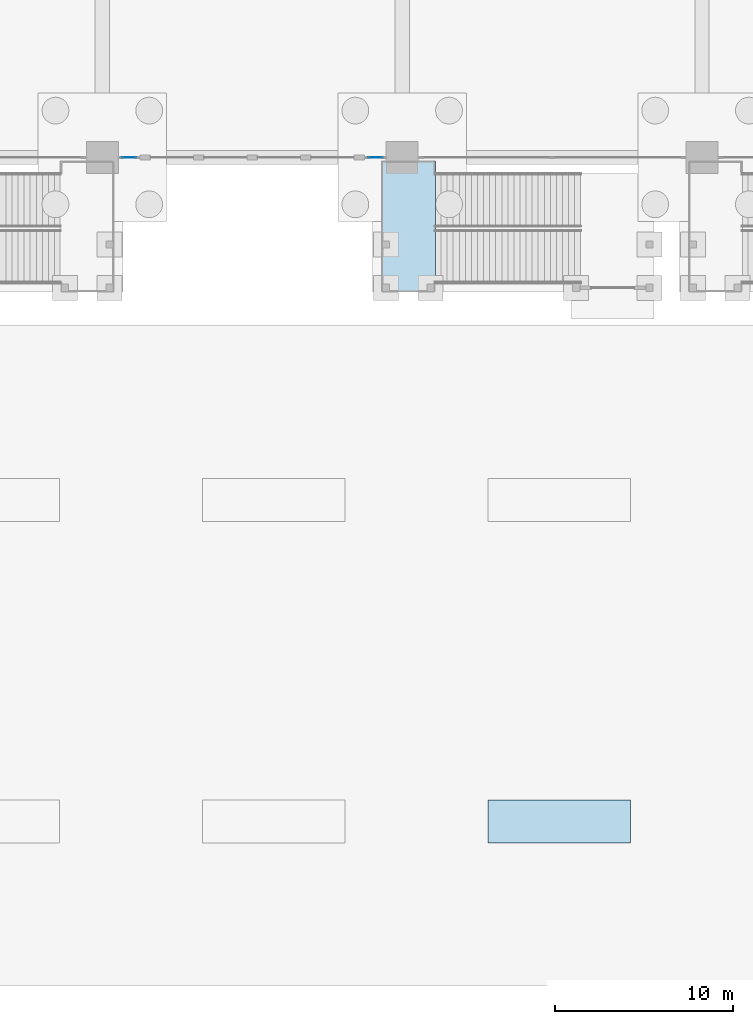
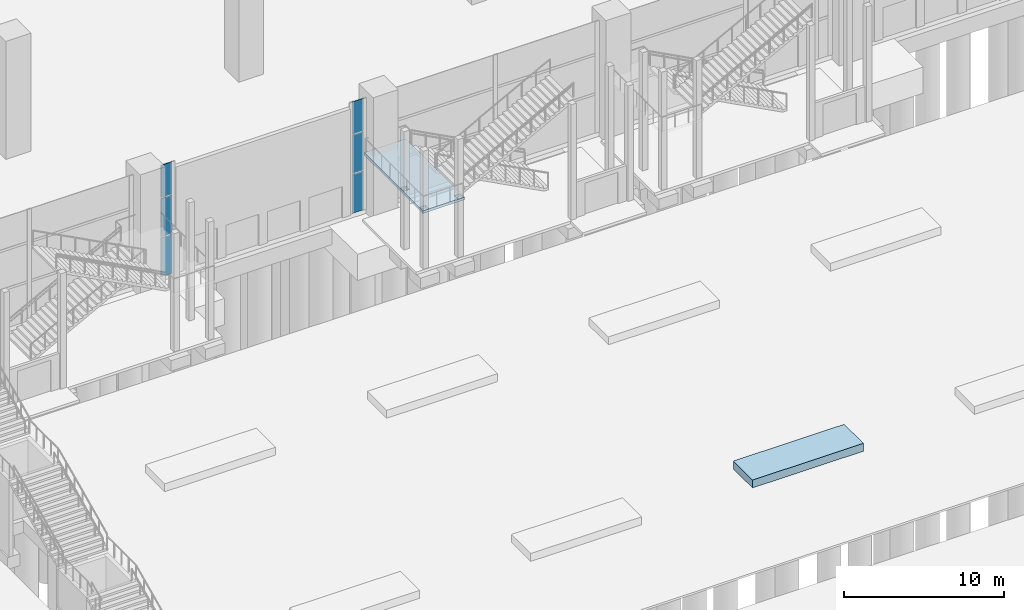
# One storey, part 31 of 72: 6 plates, 2 slabs, 3 elements without a shape of their own.
"""IFC4 building model written with IfcOpenShell, lengths in metres."""

from ifc_helpers import new_model, si_unit, direction, frame, origin, origin_2d, place, context, subcontext, project, spatial, polyline, rectangle, outline, extrude, material, layer, layer_set, type_object, element, aggregate, save


model = new_model("IFC4")

# Units and contexts
model_context = context("Model", 3, precision=1e-05, world=origin(), true_north=direction((0.0, 1.0)))
body_context = subcontext(model_context, "Body", "Model", "MODEL_VIEW")
ifc_project = project(units=[si_unit("LENGTHUNIT", "METRE"), si_unit("AREAUNIT", "SQUARE_METRE"), si_unit("VOLUMEUNIT", "CUBIC_METRE"), si_unit("PLANEANGLEUNIT", "RADIAN"), si_unit("MASSUNIT", "GRAM", prefix="KILO")], contexts=[model_context])

# Site, building, storey
site_placement = place(None, origin())
site = spatial("IfcSite", under=ifc_project, at=site_placement, CompositionType="ELEMENT")
building_placement = place(site_placement, origin())
building = spatial("IfcBuilding", under=site, at=building_placement, Name="Candeia Pilgrim Tower and Theatre", CompositionType="ELEMENT")
storey_placement = place(building_placement, origin())
storey = spatial("IfcBuildingStorey", under=building, at=storey_placement, Name="L00", CompositionType="ELEMENT", Elevation=0.0)

# Curtain wall, plates
ifc_material_1 = material(Name="Aluminium framed podium glazing", Category="aluminium")
curtain_wall_type = type_object("IfcCurtainWallType", Name="CW-P curtain wall", PredefinedType="NOTDEFINED", material=ifc_material_1)
curtain_wall_1_placement = place(storey_placement, origin())
curtain_wall_1 = element("IfcCurtainWall", 1, at=curtain_wall_1_placement, inside=storey, type_object=curtain_wall_type, Name="Curtain wall CW-P L00.330", PredefinedType="NOTDEFINED")
ifc_material_2 = material(Name="Laminated low-iron glass 2 x 8 mm", Category="glass")
ifc_layer_1 = layer(ifc_material_2, 0.035888671875)
ifc_layer_set_1 = layer_set([ifc_layer_1], Name="CW-P glass panel 36")
plate_type = type_object("IfcPlateType", Name="CW-P glass panel 36", PredefinedType="CURTAIN_PANEL", material=ifc_layer_set_1)
plate_1_placement = place(storey_placement, frame((107.699951171875, 64.39990234375, 0.0), z_axis=(0.0, 0.0, 1.0), x_axis=(-1.0, 0.0, 0.0)))
plate_1 = element("IfcPlate", 2, at=plate_1_placement, type_object=plate_type, Name="CW-P panel 1.1", PredefinedType="CURTAIN_PANEL", context=body_context, shape_type="SweptSolid", body=[
    extrude(rectangle(XDim=0.820068359375, YDim=0.035888671875, at=origin_2d()), origin(), (0.0, 0.0, 1.0), 2.9599609375),
])
plate_2_placement = place(storey_placement, frame((107.699951171875, 64.39990234375, 3.0400390625), z_axis=(0.0, 0.0, 1.0), x_axis=(-1.0, 0.0, 0.0)))
plate_2 = element("IfcPlate", 3, at=plate_2_placement, type_object=plate_type, Name="CW-P panel 1.2", PredefinedType="CURTAIN_PANEL", context=body_context, shape_type="SweptSolid", body=[
    extrude(rectangle(XDim=0.820068359375, YDim=0.035888671875, at=origin_2d()), origin(), (0.0, 0.0, 1.0), 2.919921875),
])
plate_3_placement = place(storey_placement, frame((107.699951171875, 64.39990234375, 6.0400390625), z_axis=(0.0, 0.0, 1.0), x_axis=(-1.0, 0.0, 0.0)))
plate_3 = element("IfcPlate", 4, at=plate_3_placement, type_object=plate_type, Name="CW-P panel 1.3", PredefinedType="CURTAIN_PANEL", context=body_context, shape_type="SweptSolid", body=[
    extrude(rectangle(XDim=0.820068359375, YDim=0.035888671875, at=origin_2d()), origin(), (0.0, 0.0, 1.0), 2.4599609375),
])
aggregate(curtain_wall_1, [plate_1, plate_2, plate_3])

curtain_wall_2_placement = place(storey_placement, origin())
curtain_wall_2 = element("IfcCurtainWall", 5, at=curtain_wall_2_placement, inside=storey, type_object=curtain_wall_type, Name="Curtain wall CW-P L00.331", PredefinedType="NOTDEFINED")
plate_4_placement = place(storey_placement, frame((93.89990234375, 64.39990234375, 0.0), z_axis=(0.0, 0.0, 1.0), x_axis=(-1.0, 0.0, 0.0)))
plate_4 = element("IfcPlate", 6, at=plate_4_placement, type_object=plate_type, Name="CW-P panel 1.1", PredefinedType="CURTAIN_PANEL", context=body_context, shape_type="SweptSolid", body=[
    extrude(rectangle(XDim=0.820068359375, YDim=0.035888671875, at=origin_2d()), origin(), (0.0, 0.0, 1.0), 2.9599609375),
])
plate_5_placement = place(storey_placement, frame((93.89990234375, 64.39990234375, 3.0400390625), z_axis=(0.0, 0.0, 1.0), x_axis=(-1.0, 0.0, 0.0)))
plate_5 = element("IfcPlate", 7, at=plate_5_placement, type_object=plate_type, Name="CW-P panel 1.2", PredefinedType="CURTAIN_PANEL", context=body_context, shape_type="SweptSolid", body=[
    extrude(rectangle(XDim=0.820068359375, YDim=0.035888671875, at=origin_2d()), origin(), (0.0, 0.0, 1.0), 2.919921875),
])
plate_6_placement = place(storey_placement, frame((93.89990234375, 64.39990234375, 6.0400390625), z_axis=(0.0, 0.0, 1.0), x_axis=(-1.0, 0.0, 0.0)))
plate_6 = element("IfcPlate", 8, at=plate_6_placement, type_object=plate_type, Name="CW-P panel 1.3", PredefinedType="CURTAIN_PANEL", context=body_context, shape_type="SweptSolid", body=[
    extrude(rectangle(XDim=0.820068359375, YDim=0.035888671875, at=origin_2d()), origin(), (0.0, 0.0, 1.0), 2.4599609375),
])
aggregate(curtain_wall_2, [plate_4, plate_5, plate_6])

# Slab
ifc_material_3 = material(Name="Concrete C35/45", Category="concrete")
ifc_layer_2 = layer(ifc_material_3, 0.14990234375)
ifc_layer_set_2 = layer_set([ifc_layer_2], Name="Planter")
slab_type_1 = type_object("IfcSlabType", Name="Planter", PredefinedType="FLOOR", material=ifc_layer_set_2)
slab_1_placement = place(storey_placement, origin())
element("IfcSlab", 9, at=slab_1_placement, inside=storey, type_object=slab_type_1, Name="PLANTER 3", PredefinedType="FLOOR", context=body_context, shape_type="SweptSolid", body=[
    extrude(outline(polyline([(114.0, 26.0), (122.0, 26.0), (122.0, 28.39990234375), (114.0, 28.39990234375), (114.0, 26.0)])), origin(), (0.0, 0.0, 1.0), 0.60009765625),
])

# Stair, slab
ifc_material_4 = material(Name="Concrete C40/50", Category="concrete")
stair_type = type_object("IfcStairType", Name="ST-EXT external escape stair", PredefinedType="HALF_TURN_STAIR", material=ifc_material_4)
stair_placement = place(storey_placement, origin())
stair = element("IfcStair", 10, at=stair_placement, inside=storey, type_object=stair_type, Name="L00 External escape stair ES9", PredefinedType="HALF_TURN_STAIR")
ifc_layer_3 = layer(ifc_material_4, 0.199951171875)
ifc_layer_set_3 = layer_set([ifc_layer_3], Name="SL-EXT stair landing")
slab_type_2 = type_object("IfcSlabType", Name="SL-EXT stair landing", PredefinedType="LANDING", material=ifc_layer_set_3)
slab_2_placement = place(storey_placement, frame((0.0, 0.0, 4.300048828125)))
slab_2 = element("IfcSlab", 11, at=slab_2_placement, type_object=slab_type_2, Name="L00 External escape stair ES9 landing", PredefinedType="LANDING", context=body_context, shape_type="SweptSolid", body=[
    extrude(outline(polyline([(111.06005859375, 64.199951171875), (108.0400390625, 64.199951171875), (108.0400390625, 56.85009765625), (111.06005859375, 56.85009765625), (111.06005859375, 64.199951171875)]), holes=[polyline([(110.590087890625, 56.89990234375), (110.989990234375, 56.89990234375), (110.989990234375, 57.300048828125), (110.590087890625, 57.300048828125), (110.590087890625, 56.89990234375)]), polyline([(108.090087890625, 56.89990234375), (108.489990234375, 56.89990234375), (108.489990234375, 57.300048828125), (108.090087890625, 57.300048828125), (108.090087890625, 56.89990234375)]), polyline([(108.090087890625, 59.324951171875), (108.489990234375, 59.324951171875), (108.489990234375, 59.72509765625), (108.090087890625, 59.72509765625), (108.090087890625, 59.324951171875)])]), origin(), (0.0, 0.0, 1.0), 0.199951171875),
])
aggregate(stair, [slab_2])

save(model, "model.ifc")
